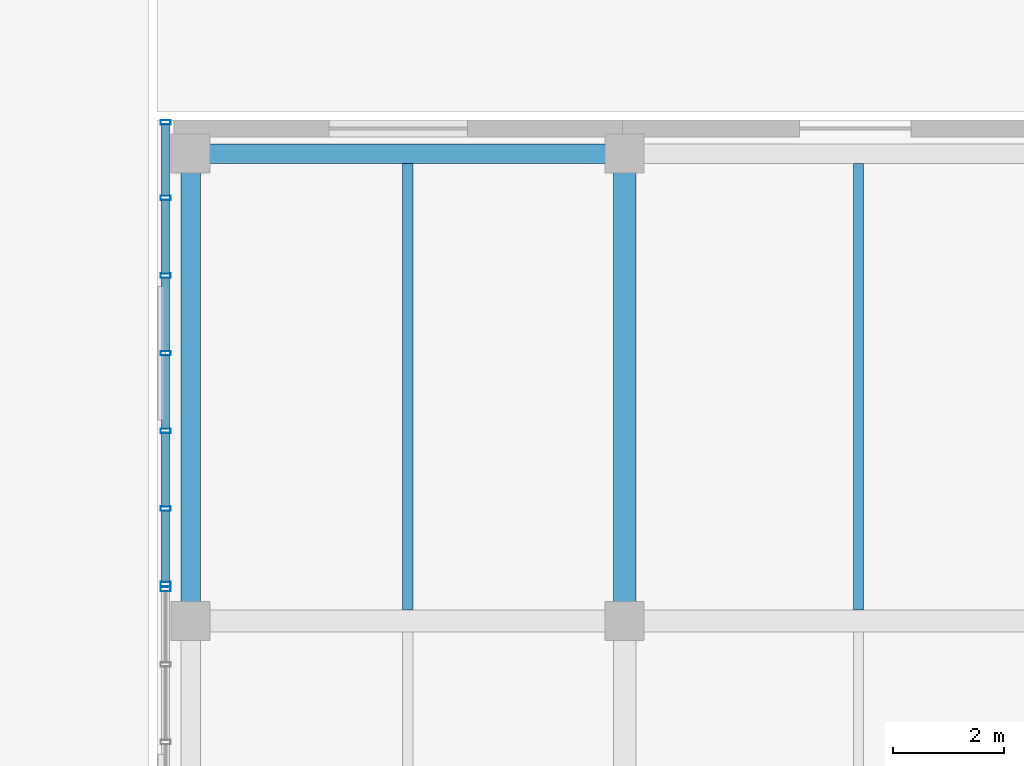
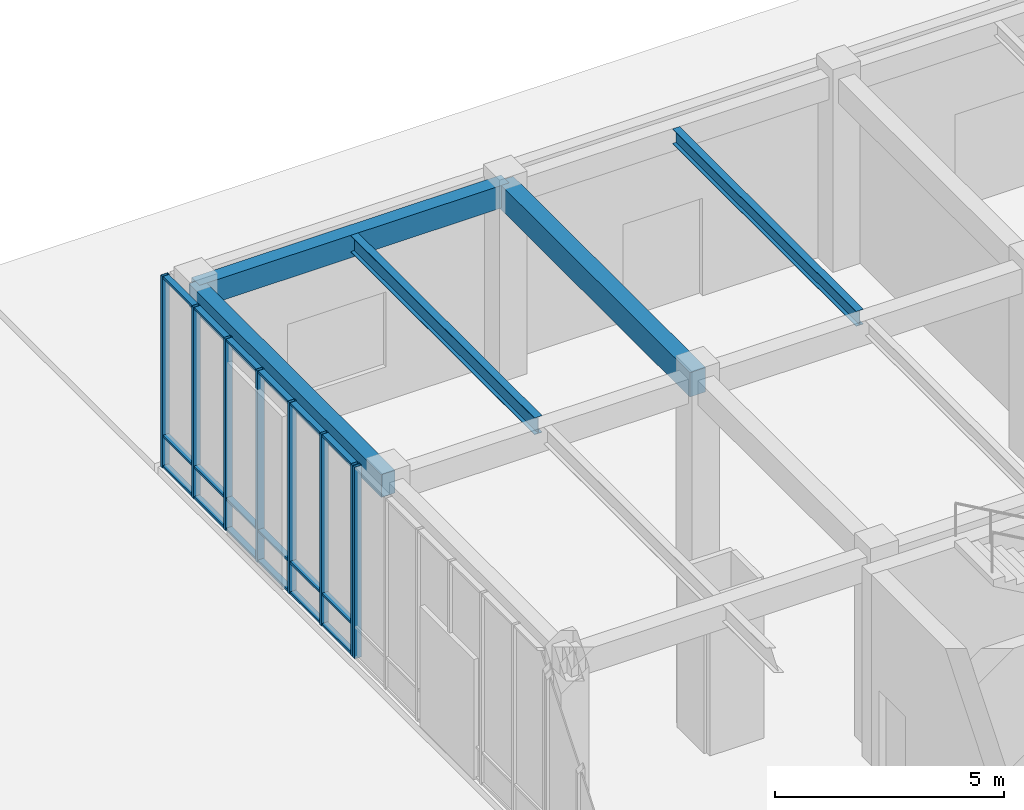
# One storey, part 66 of 122: 26 members, 5 beams, 2 elements without a shape of their own.
"""IFC4 building model written with IfcOpenShell, lengths in metres."""

from ifc_helpers import new_model, si_unit, direction, frame, origin, origin_2d, place, context, subcontext, project, spatial, rectangle, hollow_rectangle, i_section, extrude, material, layer, layer_set, material_profile, profile_set, type_object, element, aggregate, save


model = new_model("IFC4")

# Units and contexts
model_context = context("Model", 3, precision=1e-05, world=origin(), true_north=direction((0.0, 1.0)))
body_context = subcontext(model_context, "Body", "Model", "MODEL_VIEW")
ifc_project = project(units=[si_unit("LENGTHUNIT", "METRE"), si_unit("AREAUNIT", "SQUARE_METRE"), si_unit("VOLUMEUNIT", "CUBIC_METRE"), si_unit("PLANEANGLEUNIT", "RADIAN"), si_unit("MASSUNIT", "GRAM", prefix="KILO")], contexts=[model_context])

# Site, building, storey
site_placement = place(None, origin())
site = spatial("IfcSite", under=ifc_project, at=site_placement, CompositionType="ELEMENT")
building_placement = place(site_placement, origin())
building = spatial("IfcBuilding", under=site, at=building_placement, Name="Zayran Congress Hotel", CompositionType="ELEMENT")
storey_placement = place(building_placement, origin())
storey = spatial("IfcBuildingStorey", under=building, at=storey_placement, Name="L00", CompositionType="ELEMENT", Elevation=0.0)

# Beams
ifc_material_1 = material(Name="Concrete C40/50", Category="concrete")
ifc_material_profile_1 = material_profile(ifc_material_1, rectangle(XDim=0.39990234375, YDim=0.64990234375, at=origin_2d()), Name="RC 400x650")
ifc_profile_set_1 = profile_set([ifc_material_profile_1], Name="Concrete C40/50")
beam_type_1 = type_object("IfcBeamType", Name="TP-BM-03", PredefinedType="BEAM", material=ifc_profile_set_1)
beam_1_placement = place(storey_placement, frame((117.60009765625, 100.60009765625, 4.77490234375), z_axis=(0.0, 1.0, 0.0), x_axis=(-1.0, 0.0, 0.0)))
element("IfcBeam", 1, at=beam_1_placement, inside=storey, type_object=beam_type_1, Name="BM-V4-L00-1255", PredefinedType="BEAM", context=body_context, shape_type="SweptSolid", body=[
    extrude(rectangle(XDim=0.39990234375, YDim=0.64990234375, at=origin_2d()), origin(), (0.0, 0.0, 1.0), 8.39990234375),
])
ifc_material_profile_2 = material_profile(ifc_material_1, rectangle(XDim=0.35009765625, YDim=0.60009765625, at=origin_2d()), Name="RC 350x600")
ifc_profile_set_2 = profile_set([ifc_material_profile_2], Name="Concrete C40/50")
beam_type_2 = type_object("IfcBeamType", Name="TP-SP-01", PredefinedType="SPANDREL", material=ifc_profile_set_2)
beam_2_placement = place(storey_placement, frame((109.800048828125, 109.0, 4.800048828125), z_axis=(1.0, 0.0, 0.0), x_axis=(0.0, 1.0, 0.0)))
element("IfcBeam", 2, at=beam_2_placement, inside=storey, type_object=beam_type_2, Name="BM-V4-L00-1238", PredefinedType="SPANDREL", context=body_context, shape_type="SweptSolid", body=[
    extrude(rectangle(XDim=0.35009765625, YDim=0.60009765625, at=origin_2d()), origin(), (0.0, 0.0, 1.0), 7.800048828125),
])
beam_3_placement = place(storey_placement, frame((109.800048828125, 100.60009765625, 4.800048828125), z_axis=(0.0, 1.0, 0.0), x_axis=(-1.0, 0.0, 0.0)))
element("IfcBeam", 3, at=beam_3_placement, inside=storey, type_object=beam_type_2, Name="BM-V4-L00-1249", PredefinedType="SPANDREL", context=body_context, shape_type="SweptSolid", body=[
    extrude(rectangle(XDim=0.35009765625, YDim=0.60009765625, at=origin_2d()), origin(), (0.0, 0.0, 1.0), 8.39990234375),
])
ifc_material_2 = material(Name="Steel S355", Category="steel")
ifc_material_profile_3 = material_profile(ifc_material_2, i_section(OverallWidth=0.18994140625, OverallDepth=0.449951171875, WebThickness=0.009521484375, FlangeThickness=0.0146484375, at=origin_2d()), Name="IPE 450")
ifc_profile_set_3 = profile_set([ifc_material_profile_3], Name="Steel S355")
beam_type_3 = type_object("IfcBeamType", Name="TP-JS-02", PredefinedType="JOIST", material=ifc_profile_set_3)
beam_4_placement = place(storey_placement, frame((113.699951171875, 100.800048828125, 4.875), z_axis=(0.0, 1.0, 0.0), x_axis=(-1.0, 0.0, 0.0)))
element("IfcBeam", 4, at=beam_4_placement, inside=storey, type_object=beam_type_3, Name="JST-V4-L00-1287", PredefinedType="JOIST", context=body_context, shape_type="SweptSolid", body=[
    extrude(i_section(OverallWidth=0.18994140625, OverallDepth=0.449951171875, WebThickness=0.009521484375, FlangeThickness=0.0146484375, at=origin_2d()), origin(), (0.0, 0.0, 1.0), 8.02490234375),
])
ifc_material_profile_4 = material_profile(ifc_material_2, i_section(OverallWidth=0.179931640625, OverallDepth=0.39990234375, WebThickness=0.008544921875, FlangeThickness=0.013427734375, at=origin_2d()), Name="IPE 400")
ifc_profile_set_4 = profile_set([ifc_material_profile_4], Name="Steel S355")
beam_type_4 = type_object("IfcBeamType", Name="TP-JS-03", PredefinedType="JOIST", material=ifc_profile_set_4)
beam_5_placement = place(storey_placement, frame((121.800048828125, 100.800048828125, 4.89990234375), z_axis=(0.0, 1.0, 0.0), x_axis=(-1.0, 0.0, 0.0)))
element("IfcBeam", 5, at=beam_5_placement, inside=storey, type_object=beam_type_4, Name="JST-V4-L00-1293", PredefinedType="JOIST", context=body_context, shape_type="SweptSolid", body=[
    extrude(i_section(OverallWidth=0.179931640625, OverallDepth=0.39990234375, WebThickness=0.008544921875, FlangeThickness=0.013427734375, at=origin_2d()), origin(), (0.0, 0.0, 1.0), 8.02490234375),
])

# Curtain wall, member
ifc_material_3 = material(Name="Anodised aluminium and low-E insulated glass", Category="aluminium")
ifc_layer_1 = layer(ifc_material_3, 0.179931640625)
ifc_layer_set_1 = layer_set([ifc_layer_1], Name="Anodised aluminium and low-E insulated glass")
curtain_wall_type_1 = type_object("IfcCurtainWallType", Name="CW-V4W-L00-CW-51-8372-5100", PredefinedType="USERDEFINED", material=ifc_layer_set_1)
curtain_wall_1_placement = place(storey_placement, origin())
curtain_wall_1 = element("IfcCurtainWall", 6, at=curtain_wall_1_placement, inside=storey, type_object=curtain_wall_type_1, Name="CW-V4W-L00-6", ObjectType="CURTAIN WALL", PredefinedType="USERDEFINED")
ifc_material_4 = material(Name="Anodised aluminium framing", Category="aluminium")
ifc_material_profile_5 = material_profile(ifc_material_4, hollow_rectangle(XDim=0.080078125, YDim=0.179931640625, WallThickness=0.0048828125, at=origin_2d()), Name="RHS 180x80x5")
ifc_profile_set_5 = profile_set([ifc_material_profile_5], Name="Anodised aluminium framing")
member_type_1 = type_object("IfcMemberType", Name="TP-CWM-01", PredefinedType="MULLION", material=ifc_profile_set_5)
member_1_placement = place(storey_placement, frame((109.35009765625, 101.174072265625, 0.0), z_axis=(0.0, 0.0, 1.0), x_axis=(0.0, 1.0, 0.0)))
member_1 = element("IfcMember", 7, at=member_1_placement, type_object=member_type_1, Name="CW-V4W-L00-6-M00", PredefinedType="MULLION", context=body_context, shape_type="SweptSolid", body=[
    extrude(hollow_rectangle(XDim=0.080078125, YDim=0.179931640625, WallThickness=0.0048828125, at=origin_2d()), origin(), (0.0, 0.0, 1.0), 5.10009765625),
])
aggregate(curtain_wall_1, [member_1])

# Curtain wall, members
ifc_layer_2 = layer(ifc_material_3, 0.179931640625)
ifc_layer_set_2 = layer_set([ifc_layer_2], Name="Anodised aluminium and low-E insulated glass")
curtain_wall_type_2 = type_object("IfcCurtainWallType", Name="CW-V4W-L00-CW-52-8376-5100", PredefinedType="USERDEFINED", material=ifc_layer_set_2)
curtain_wall_2_placement = place(storey_placement, origin())
curtain_wall_2 = element("IfcCurtainWall", 8, at=curtain_wall_2_placement, inside=storey, type_object=curtain_wall_type_2, Name="CW-V4W-L00-7", ObjectType="CURTAIN WALL", PredefinedType="USERDEFINED")
member_2_placement = place(storey_placement, frame((109.35009765625, 109.56005859375, 0.0), z_axis=(0.0, 0.0, 1.0), x_axis=(0.0, 1.0, 0.0)))
member_2 = element("IfcMember", 9, at=member_2_placement, type_object=member_type_1, Name="CW-V4W-L00-7-M00", PredefinedType="MULLION", context=body_context, shape_type="SweptSolid", body=[
    extrude(hollow_rectangle(XDim=0.080078125, YDim=0.179931640625, WallThickness=0.0048828125, at=origin_2d()), origin(), (0.0, 0.0, 1.0), 5.10009765625),
])
member_3_placement = place(storey_placement, frame((109.35009765625, 108.2041015625, 0.0), z_axis=(0.0, 0.0, 1.0), x_axis=(0.0, 1.0, 0.0)))
member_3 = element("IfcMember", 10, at=member_3_placement, type_object=member_type_1, Name="CW-V4W-L00-7-M01", PredefinedType="MULLION", context=body_context, shape_type="SweptSolid", body=[
    extrude(hollow_rectangle(XDim=0.080078125, YDim=0.179931640625, WallThickness=0.0048828125, at=origin_2d()), origin(), (0.0, 0.0, 1.0), 5.10009765625),
])
member_4_placement = place(storey_placement, frame((109.35009765625, 106.80810546875, 0.0), z_axis=(0.0, 0.0, 1.0), x_axis=(0.0, 1.0, 0.0)))
member_4 = element("IfcMember", 11, at=member_4_placement, type_object=member_type_1, Name="CW-V4W-L00-7-M02", PredefinedType="MULLION", context=body_context, shape_type="SweptSolid", body=[
    extrude(hollow_rectangle(XDim=0.080078125, YDim=0.179931640625, WallThickness=0.0048828125, at=origin_2d()), origin(), (0.0, 0.0, 1.0), 5.10009765625),
])
member_5_placement = place(storey_placement, frame((109.35009765625, 105.412109375, 0.0), z_axis=(0.0, 0.0, 1.0), x_axis=(0.0, 1.0, 0.0)))
member_5 = element("IfcMember", 12, at=member_5_placement, type_object=member_type_1, Name="CW-V4W-L00-7-M03", PredefinedType="MULLION", context=body_context, shape_type="SweptSolid", body=[
    extrude(hollow_rectangle(XDim=0.080078125, YDim=0.179931640625, WallThickness=0.0048828125, at=origin_2d()), origin(), (0.0, 0.0, 1.0), 5.10009765625),
])
member_6_placement = place(storey_placement, frame((109.35009765625, 104.01611328125, 0.0), z_axis=(0.0, 0.0, 1.0), x_axis=(0.0, 1.0, 0.0)))
member_6 = element("IfcMember", 13, at=member_6_placement, type_object=member_type_1, Name="CW-V4W-L00-7-M04", PredefinedType="MULLION", context=body_context, shape_type="SweptSolid", body=[
    extrude(hollow_rectangle(XDim=0.080078125, YDim=0.179931640625, WallThickness=0.0048828125, at=origin_2d()), origin(), (0.0, 0.0, 1.0), 5.10009765625),
])
member_7_placement = place(storey_placement, frame((109.35009765625, 102.6201171875, 0.0), z_axis=(0.0, 0.0, 1.0), x_axis=(0.0, 1.0, 0.0)))
member_7 = element("IfcMember", 14, at=member_7_placement, type_object=member_type_1, Name="CW-V4W-L00-7-M05", PredefinedType="MULLION", context=body_context, shape_type="SweptSolid", body=[
    extrude(hollow_rectangle(XDim=0.080078125, YDim=0.179931640625, WallThickness=0.0048828125, at=origin_2d()), origin(), (0.0, 0.0, 1.0), 5.10009765625),
])
member_8_placement = place(storey_placement, frame((109.35009765625, 101.263916015625, 0.0), z_axis=(0.0, 0.0, 1.0), x_axis=(0.0, 1.0, 0.0)))
member_8 = element("IfcMember", 15, at=member_8_placement, type_object=member_type_1, Name="CW-V4W-L00-7-M06", PredefinedType="MULLION", context=body_context, shape_type="SweptSolid", body=[
    extrude(hollow_rectangle(XDim=0.080078125, YDim=0.179931640625, WallThickness=0.0048828125, at=origin_2d()), origin(), (0.0, 0.0, 1.0), 5.10009765625),
])
ifc_material_profile_6 = material_profile(ifc_material_4, hollow_rectangle(XDim=0.06005859375, YDim=0.14990234375, WallThickness=0.00390625, at=origin_2d()), Name="RHS 150x60x4")
ifc_profile_set_6 = profile_set([ifc_material_profile_6], Name="Anodised aluminium framing")
member_type_2 = type_object("IfcMemberType", Name="TP-CWT-01", PredefinedType="USERDEFINED", material=ifc_profile_set_6)
member_9_placement = place(storey_placement, frame((109.35009765625, 109.52001953125, 0.030029296875), z_axis=(0.0, -1.0, 0.0), x_axis=(0.0, 0.0, 1.0)))
member_9 = element("IfcMember", 16, at=member_9_placement, type_object=member_type_2, Name="CW-V4W-L00-7-T00-0", ObjectType="TRANSOM", PredefinedType="USERDEFINED", context=body_context, shape_type="SweptSolid", body=[
    extrude(hollow_rectangle(XDim=0.06005859375, YDim=0.14990234375, WallThickness=0.00390625, at=origin_2d()), origin(), (0.0, 0.0, 1.0), 1.276123046875),
])
member_10_placement = place(storey_placement, frame((109.35009765625, 109.52001953125, 0.840087890625), z_axis=(0.0, -1.0, 0.0), x_axis=(0.0, 0.0, 1.0)))
member_10 = element("IfcMember", 17, at=member_10_placement, type_object=member_type_2, Name="CW-V4W-L00-7-T00-1", ObjectType="TRANSOM", PredefinedType="USERDEFINED", context=body_context, shape_type="SweptSolid", body=[
    extrude(hollow_rectangle(XDim=0.06005859375, YDim=0.14990234375, WallThickness=0.00390625, at=origin_2d()), origin(), (0.0, 0.0, 1.0), 1.276123046875),
])
member_11_placement = place(storey_placement, frame((109.35009765625, 109.52001953125, 5.070068359375), z_axis=(0.0, -1.0, 0.0), x_axis=(0.0, 0.0, 1.0)))
member_11 = element("IfcMember", 18, at=member_11_placement, type_object=member_type_2, Name="CW-V4W-L00-7-T00-2", ObjectType="TRANSOM", PredefinedType="USERDEFINED", context=body_context, shape_type="SweptSolid", body=[
    extrude(hollow_rectangle(XDim=0.06005859375, YDim=0.14990234375, WallThickness=0.00390625, at=origin_2d()), origin(), (0.0, 0.0, 1.0), 1.276123046875),
])
member_12_placement = place(storey_placement, frame((109.35009765625, 108.1640625, 0.030029296875), z_axis=(0.0, -1.0, 0.0), x_axis=(0.0, 0.0, 1.0)))
member_12 = element("IfcMember", 19, at=member_12_placement, type_object=member_type_2, Name="CW-V4W-L00-7-T01-0", ObjectType="TRANSOM", PredefinedType="USERDEFINED", context=body_context, shape_type="SweptSolid", body=[
    extrude(hollow_rectangle(XDim=0.06005859375, YDim=0.14990234375, WallThickness=0.00390625, at=origin_2d()), origin(), (0.0, 0.0, 1.0), 1.316162109375),
])
member_13_placement = place(storey_placement, frame((109.35009765625, 108.1640625, 0.840087890625), z_axis=(0.0, -1.0, 0.0), x_axis=(0.0, 0.0, 1.0)))
member_13 = element("IfcMember", 20, at=member_13_placement, type_object=member_type_2, Name="CW-V4W-L00-7-T01-1", ObjectType="TRANSOM", PredefinedType="USERDEFINED", context=body_context, shape_type="SweptSolid", body=[
    extrude(hollow_rectangle(XDim=0.06005859375, YDim=0.14990234375, WallThickness=0.00390625, at=origin_2d()), origin(), (0.0, 0.0, 1.0), 1.316162109375),
])
member_14_placement = place(storey_placement, frame((109.35009765625, 108.1640625, 5.070068359375), z_axis=(0.0, -1.0, 0.0), x_axis=(0.0, 0.0, 1.0)))
member_14 = element("IfcMember", 21, at=member_14_placement, type_object=member_type_2, Name="CW-V4W-L00-7-T01-2", ObjectType="TRANSOM", PredefinedType="USERDEFINED", context=body_context, shape_type="SweptSolid", body=[
    extrude(hollow_rectangle(XDim=0.06005859375, YDim=0.14990234375, WallThickness=0.00390625, at=origin_2d()), origin(), (0.0, 0.0, 1.0), 1.316162109375),
])
member_15_placement = place(storey_placement, frame((109.35009765625, 106.76806640625, 0.030029296875), z_axis=(0.0, -1.0, 0.0), x_axis=(0.0, 0.0, 1.0)))
member_15 = element("IfcMember", 22, at=member_15_placement, type_object=member_type_2, Name="CW-V4W-L00-7-T02-0", ObjectType="TRANSOM", PredefinedType="USERDEFINED", context=body_context, shape_type="SweptSolid", body=[
    extrude(hollow_rectangle(XDim=0.06005859375, YDim=0.14990234375, WallThickness=0.00390625, at=origin_2d()), origin(), (0.0, 0.0, 1.0), 1.316162109375),
])
member_16_placement = place(storey_placement, frame((109.35009765625, 106.76806640625, 0.840087890625), z_axis=(0.0, -1.0, 0.0), x_axis=(0.0, 0.0, 1.0)))
member_16 = element("IfcMember", 23, at=member_16_placement, type_object=member_type_2, Name="CW-V4W-L00-7-T02-1", ObjectType="TRANSOM", PredefinedType="USERDEFINED", context=body_context, shape_type="SweptSolid", body=[
    extrude(hollow_rectangle(XDim=0.06005859375, YDim=0.14990234375, WallThickness=0.00390625, at=origin_2d()), origin(), (0.0, 0.0, 1.0), 1.316162109375),
])
member_17_placement = place(storey_placement, frame((109.35009765625, 106.76806640625, 5.070068359375), z_axis=(0.0, -1.0, 0.0), x_axis=(0.0, 0.0, 1.0)))
member_17 = element("IfcMember", 24, at=member_17_placement, type_object=member_type_2, Name="CW-V4W-L00-7-T02-2", ObjectType="TRANSOM", PredefinedType="USERDEFINED", context=body_context, shape_type="SweptSolid", body=[
    extrude(hollow_rectangle(XDim=0.06005859375, YDim=0.14990234375, WallThickness=0.00390625, at=origin_2d()), origin(), (0.0, 0.0, 1.0), 1.316162109375),
])
member_18_placement = place(storey_placement, frame((109.35009765625, 105.3720703125, 0.030029296875), z_axis=(0.0, -1.0, 0.0), x_axis=(0.0, 0.0, 1.0)))
member_18 = element("IfcMember", 25, at=member_18_placement, type_object=member_type_2, Name="CW-V4W-L00-7-T03-0", ObjectType="TRANSOM", PredefinedType="USERDEFINED", context=body_context, shape_type="SweptSolid", body=[
    extrude(hollow_rectangle(XDim=0.06005859375, YDim=0.14990234375, WallThickness=0.00390625, at=origin_2d()), origin(), (0.0, 0.0, 1.0), 1.316162109375),
])
member_19_placement = place(storey_placement, frame((109.35009765625, 105.3720703125, 0.840087890625), z_axis=(0.0, -1.0, 0.0), x_axis=(0.0, 0.0, 1.0)))
member_19 = element("IfcMember", 26, at=member_19_placement, type_object=member_type_2, Name="CW-V4W-L00-7-T03-1", ObjectType="TRANSOM", PredefinedType="USERDEFINED", context=body_context, shape_type="SweptSolid", body=[
    extrude(hollow_rectangle(XDim=0.06005859375, YDim=0.14990234375, WallThickness=0.00390625, at=origin_2d()), origin(), (0.0, 0.0, 1.0), 1.316162109375),
])
member_20_placement = place(storey_placement, frame((109.35009765625, 105.3720703125, 5.070068359375), z_axis=(0.0, -1.0, 0.0), x_axis=(0.0, 0.0, 1.0)))
member_20 = element("IfcMember", 27, at=member_20_placement, type_object=member_type_2, Name="CW-V4W-L00-7-T03-2", ObjectType="TRANSOM", PredefinedType="USERDEFINED", context=body_context, shape_type="SweptSolid", body=[
    extrude(hollow_rectangle(XDim=0.06005859375, YDim=0.14990234375, WallThickness=0.00390625, at=origin_2d()), origin(), (0.0, 0.0, 1.0), 1.316162109375),
])
member_21_placement = place(storey_placement, frame((109.35009765625, 103.97607421875, 0.030029296875), z_axis=(0.0, -1.0, 0.0), x_axis=(0.0, 0.0, 1.0)))
member_21 = element("IfcMember", 28, at=member_21_placement, type_object=member_type_2, Name="CW-V4W-L00-7-T04-0", ObjectType="TRANSOM", PredefinedType="USERDEFINED", context=body_context, shape_type="SweptSolid", body=[
    extrude(hollow_rectangle(XDim=0.06005859375, YDim=0.14990234375, WallThickness=0.00390625, at=origin_2d()), origin(), (0.0, 0.0, 1.0), 1.316162109375),
])
member_22_placement = place(storey_placement, frame((109.35009765625, 103.97607421875, 0.840087890625), z_axis=(0.0, -1.0, 0.0), x_axis=(0.0, 0.0, 1.0)))
member_22 = element("IfcMember", 29, at=member_22_placement, type_object=member_type_2, Name="CW-V4W-L00-7-T04-1", ObjectType="TRANSOM", PredefinedType="USERDEFINED", context=body_context, shape_type="SweptSolid", body=[
    extrude(hollow_rectangle(XDim=0.06005859375, YDim=0.14990234375, WallThickness=0.00390625, at=origin_2d()), origin(), (0.0, 0.0, 1.0), 1.316162109375),
])
member_23_placement = place(storey_placement, frame((109.35009765625, 103.97607421875, 5.070068359375), z_axis=(0.0, -1.0, 0.0), x_axis=(0.0, 0.0, 1.0)))
member_23 = element("IfcMember", 30, at=member_23_placement, type_object=member_type_2, Name="CW-V4W-L00-7-T04-2", ObjectType="TRANSOM", PredefinedType="USERDEFINED", context=body_context, shape_type="SweptSolid", body=[
    extrude(hollow_rectangle(XDim=0.06005859375, YDim=0.14990234375, WallThickness=0.00390625, at=origin_2d()), origin(), (0.0, 0.0, 1.0), 1.316162109375),
])
member_24_placement = place(storey_placement, frame((109.35009765625, 102.580078125, 0.030029296875), z_axis=(0.0, -1.0, 0.0), x_axis=(0.0, 0.0, 1.0)))
member_24 = element("IfcMember", 31, at=member_24_placement, type_object=member_type_2, Name="CW-V4W-L00-7-T05-0", ObjectType="TRANSOM", PredefinedType="USERDEFINED", context=body_context, shape_type="SweptSolid", body=[
    extrude(hollow_rectangle(XDim=0.06005859375, YDim=0.14990234375, WallThickness=0.00390625, at=origin_2d()), origin(), (0.0, 0.0, 1.0), 1.276123046875),
])
member_25_placement = place(storey_placement, frame((109.35009765625, 102.580078125, 0.840087890625), z_axis=(0.0, -1.0, 0.0), x_axis=(0.0, 0.0, 1.0)))
member_25 = element("IfcMember", 32, at=member_25_placement, type_object=member_type_2, Name="CW-V4W-L00-7-T05-1", ObjectType="TRANSOM", PredefinedType="USERDEFINED", context=body_context, shape_type="SweptSolid", body=[
    extrude(hollow_rectangle(XDim=0.06005859375, YDim=0.14990234375, WallThickness=0.00390625, at=origin_2d()), origin(), (0.0, 0.0, 1.0), 1.276123046875),
])
member_26_placement = place(storey_placement, frame((109.35009765625, 102.580078125, 5.070068359375), z_axis=(0.0, -1.0, 0.0), x_axis=(0.0, 0.0, 1.0)))
member_26 = element("IfcMember", 33, at=member_26_placement, type_object=member_type_2, Name="CW-V4W-L00-7-T05-2", ObjectType="TRANSOM", PredefinedType="USERDEFINED", context=body_context, shape_type="SweptSolid", body=[
    extrude(hollow_rectangle(XDim=0.06005859375, YDim=0.14990234375, WallThickness=0.00390625, at=origin_2d()), origin(), (0.0, 0.0, 1.0), 1.276123046875),
])
aggregate(curtain_wall_2, [member_2, member_3, member_4, member_5, member_6, member_7, member_8, member_9, member_10, member_11, member_12, member_13, member_14, member_15, member_16, member_17, member_18, member_19, member_20, member_21, member_22, member_23, member_24, member_25, member_26])

save(model, "model.ifc")
